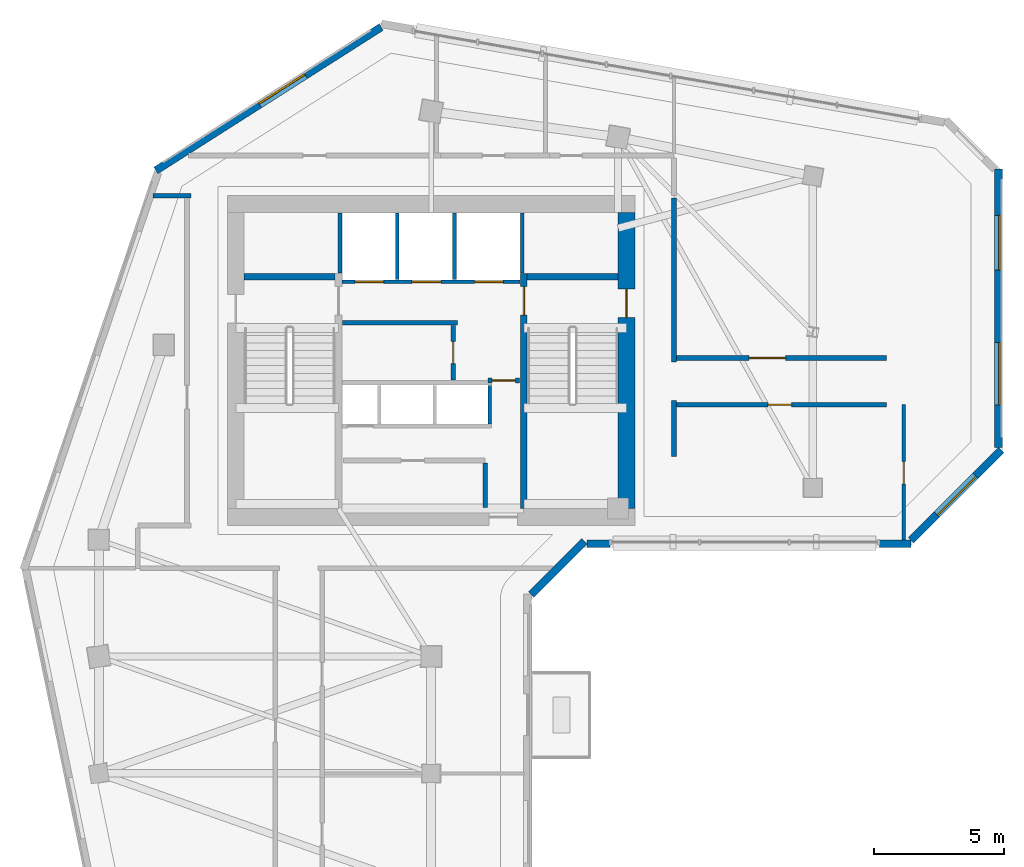
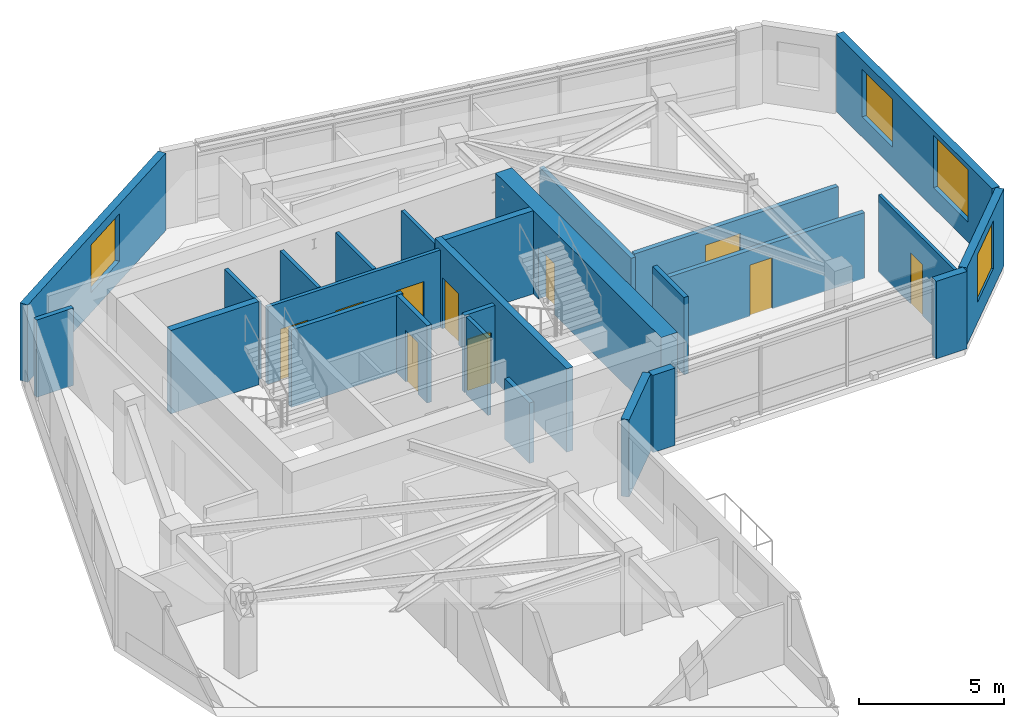
# One storey, part 5 of 9: 26 walls, 10 doors, 4 windows, 14 openings.
"""IFC4 building model written with IfcOpenShell, lengths in metres."""

import ifcopenshell
import ifcopenshell.guid

model = None  # the IFC model being written
_history = None  # IfcOwnerHistory: only IFC2X3 demands one
_inside = {}  # id of a spatial element -> (the spatial element, [elements in it])
_under = {}  # id of a project, library or spatial element -> (it, [spatial elements below it])
_declared = {}  # id of a project -> (the project, [libraries it declares])
_typed = {}  # id of a type object -> (the type object, [elements of that type])
_made_of = {}  # id of a material, layer set ... -> (it, [elements and type objects made of it])


def new_model(schema):
    """Start an empty IFC model of exactly this schema.

    Asked for "IFC4X3", IfcOpenShell would pick the latest addendum, in which some entities
    have other attributes; the version numbers below select the first issue.
    IFC2X3 requires an IfcOwnerHistory on every rooted entity: one is made here for all.
    """
    global model, _history
    if schema == "IFC4X3":
        model = ifcopenshell.file(schema_version=(4, 3, 0, 0))
    else:
        model = ifcopenshell.file(schema=schema)
    _inside.clear()
    _under.clear()
    _declared.clear()
    _typed.clear()
    _made_of.clear()
    _history = None
    if model.schema == "IFC2X3":
        org = make("IfcOrganization", Name="unknown")
        user = make(
            "IfcPersonAndOrganization",
            ThePerson=make("IfcPerson", FamilyName="unknown"),
            TheOrganization=org,
        )
        app = make(
            "IfcApplication",
            ApplicationDeveloper=org,
            Version="unknown",
            ApplicationFullName="unknown",
            ApplicationIdentifier="unknown",
        )
        _history = make(
            "IfcOwnerHistory",
            OwningUser=user,
            OwningApplication=app,
            ChangeAction="ADDED",
            CreationDate=0,
        )
    return model


def make(cls, **values):
    """One entity of the class cls with the attributes given. An attribute that is None is left unset."""
    return model.create_entity(
        cls, **{name: value for name, value in values.items() if value is not None}
    )


def rooted(cls, **values):
    """An entity with a GlobalId (a new one), such as an element, a storey or a relation."""
    return make(cls, GlobalId=ifcopenshell.guid.new(), OwnerHistory=_history, **values)


def si_unit(unit_type, name, prefix=None):
    """IfcSIUnit, for example si_unit("LENGTHUNIT", "METRE", prefix="MILLI")."""
    return make("IfcSIUnit", UnitType=unit_type, Prefix=prefix, Name=name)


def assignment(units):
    """IfcUnitAssignment: the units of a project."""
    return None if units is None else make("IfcUnitAssignment", Units=units)


def point(xyz):
    """IfcCartesianPoint."""
    return None if xyz is None else make("IfcCartesianPoint", Coordinates=xyz)


def direction(xyz):
    """IfcDirection."""
    return None if xyz is None else make("IfcDirection", DirectionRatios=xyz)


def frame(location, z_axis=None, x_axis=None):
    """IfcAxis2Placement3D, a coordinate frame: its origin and axes. An axis left out is left unset."""
    return make(
        "IfcAxis2Placement3D",
        Location=point(location),
        Axis=direction(z_axis),
        RefDirection=direction(x_axis),
    )


def frame_2d(location, x_axis=None):
    """IfcAxis2Placement2D, a coordinate frame in the plane: its origin and x axis."""
    return make(
        "IfcAxis2Placement2D", Location=point(location), RefDirection=direction(x_axis)
    )


def origin():
    """The frame at (0, 0, 0) with its axes left unset."""
    return frame((0.0, 0.0, 0.0))


def place(relative_to, where):
    """IfcLocalPlacement: puts the frame where relative to a parent placement (None: the world)."""
    return make(
        "IfcLocalPlacement", PlacementRelTo=relative_to, RelativePlacement=where
    )


def context(
    kind, dimensions, precision=None, world=None, true_north=None, identifier=None
):
    """IfcGeometricRepresentationContext, for example the 3D "Model" context."""
    return make(
        "IfcGeometricRepresentationContext",
        ContextIdentifier=identifier,
        ContextType=kind,
        CoordinateSpaceDimension=dimensions,
        Precision=precision,
        WorldCoordinateSystem=world,
        TrueNorth=true_north,
    )


def subcontext(parent, identifier, kind, view, scale=None):
    """IfcGeometricRepresentationSubContext, for example "Body" below "Model"."""
    return make(
        "IfcGeometricRepresentationSubContext",
        ContextIdentifier=identifier,
        ContextType=kind,
        ParentContext=parent,
        TargetScale=scale,
        TargetView=view,
    )


def project(units=None, contexts=None):
    """IfcProject with its units and contexts."""
    return rooted(
        "IfcProject",
        Name="project",
        RepresentationContexts=contexts,
        UnitsInContext=assignment(units),
    )


def spatial(cls, under=None, at=None, **own):
    """A site, building, storey or space (cls), placed at a placement, below another one or the project."""
    s = rooted(cls, ObjectPlacement=at, **own)
    if under is not None:
        _under.setdefault(under.id(), (under, []))[1].append(s)
    return s


def profile(cls, at=None, kind="AREA", **sizes):
    """A parametric profile (cls). Its sizes go by their IFC names, for example OverallWidth=200.0."""
    return make(cls, ProfileType=kind, Position=at, **sizes)


def rectangle(**sizes):
    """IfcRectangleProfileDef."""
    return profile("IfcRectangleProfileDef", **sizes)


def extrude(swept, where, along, depth):
    """IfcExtrudedAreaSolid: the profile swept, set in the frame where, extruded along a direction by depth."""
    return make(
        "IfcExtrudedAreaSolid",
        SweptArea=swept,
        Position=where,
        ExtrudedDirection=direction(along),
        Depth=depth,
    )


def shape(context_of_items, identifier, shape_type, items):
    """IfcShapeRepresentation: the items that make up one representation, for example the "Body"."""
    return make(
        "IfcShapeRepresentation",
        ContextOfItems=context_of_items,
        RepresentationIdentifier=identifier,
        RepresentationType=shape_type,
        Items=items,
    )


def source(mapping_origin, context_of_items, identifier, shape_type, items):
    """IfcRepresentationMap: a shape defined once, which mapped items show again and again."""
    return make(
        "IfcRepresentationMap",
        MappingOrigin=mapping_origin,
        MappedRepresentation=shape(context_of_items, identifier, shape_type, items),
    )


def transform(
    local_origin,
    x_axis=None,
    y_axis=None,
    z_axis=None,
    scale=None,
    scale2=None,
    scale3=None,
    uniform=True,
):
    """IfcCartesianTransformationOperator3D, or its non-uniform kind. x_axis, y_axis, z_axis: its Axis1, 2, 3."""
    if uniform:
        return make(
            "IfcCartesianTransformationOperator3D",
            Axis1=direction(x_axis),
            Axis2=direction(y_axis),
            LocalOrigin=point(local_origin),
            Scale=scale,
            Axis3=direction(z_axis),
        )
    return make(
        "IfcCartesianTransformationOperator3DnonUniform",
        Axis1=direction(x_axis),
        Axis2=direction(y_axis),
        LocalOrigin=point(local_origin),
        Scale=scale,
        Axis3=direction(z_axis),
        Scale2=scale2,
        Scale3=scale3,
    )


def mapped(mapping_source, mapping_target):
    """IfcMappedItem: shows the shape of a source again, moved by a transform."""
    return make(
        "IfcMappedItem", MappingSource=mapping_source, MappingTarget=mapping_target
    )


def material(Name=None, Category=None):
    """IfcMaterial."""
    return make("IfcMaterial", Name=Name, Category=Category)


def layer(
    of_material, thickness, ventilated=None, Name=None, Category=None, Priority=None
):
    """IfcMaterialLayer: one layer of a wall or slab, of a material (None: an air gap)."""
    return make(
        "IfcMaterialLayer",
        Material=of_material,
        LayerThickness=thickness,
        IsVentilated=ventilated,
        Name=Name,
        Category=Category,
        Priority=Priority,
    )


def layer_set(layers, Name=None):
    """IfcMaterialLayerSet."""
    return make("IfcMaterialLayerSet", MaterialLayers=layers, LayerSetName=Name)


def made_of(thing, what):
    """Note that an element or type object is made of a material, layer set ...; save() writes the relation."""
    if what is not None:
        _made_of.setdefault(what.id(), (what, []))[1].append(thing)
    return thing


def type_object(cls, material=None, **own):
    """A type object (cls), such as IfcWallType, which elements share."""
    return made_of(rooted(cls, **own), material)


def element(
    cls,
    number,
    at=None,
    inside=None,
    cuts=None,
    type_object=None,
    material=None,
    context=None,
    identifier="Body",
    shape_type=None,
    held_by="IfcProductDefinitionShape",
    body=None,
    shapes=None,
    **own,
):
    """One element of the class cls, such as IfcWall. Its Tag is "e" and its number.

    at: its placement. inside: the storey or other place that contains it. cuts: it is an
    opening in that element (IfcRelVoidsElement). A single representation is given by context,
    identifier, shape_type and body (its items); several are given by shapes. held_by: the class
    of the entity that holds the representations. save() writes the other relations.
    """
    e = rooted(cls, Tag="e%d" % number, ObjectPlacement=at, **own)
    if body is not None:
        shapes = [shape(context, identifier, shape_type, body)]
    if shapes is not None:
        e.Representation = make(held_by, Representations=shapes)
    if inside is not None:
        _inside.setdefault(inside.id(), (inside, []))[1].append(e)
    if cuts is not None:
        rooted(
            "IfcRelVoidsElement", RelatingBuildingElement=cuts, RelatedOpeningElement=e
        )
    if type_object is not None:
        _typed.setdefault(type_object.id(), (type_object, []))[1].append(e)
    return made_of(e, material)


def fill(opening, filler):
    """IfcRelFillsElement: the door or window that sits in an opening."""
    return rooted(
        "IfcRelFillsElement",
        RelatingOpeningElement=opening,
        RelatedBuildingElement=filler,
    )


def aggregate(whole, parts):
    """IfcRelAggregates: a whole, such as a stair, and the parts it consists of."""
    return rooted("IfcRelAggregates", RelatingObject=whole, RelatedObjects=parts)


def save(model, path):
    """Write the relations noted so far, then the file.

    IfcRelAggregates (storeys below a building ...), IfcRelContainedInSpatialStructure (elements
    in a storey), IfcRelDefinesByType, IfcRelAssociatesMaterial and IfcRelDeclares: one each for
    every whole, place, type object, material and project.
    """
    for whole, parts in _under.values():
        aggregate(whole, parts)
    for where, things in _inside.values():
        rooted(
            "IfcRelContainedInSpatialStructure",
            RelatedElements=things,
            RelatingStructure=where,
        )
    for kind, things in _typed.values():
        rooted("IfcRelDefinesByType", RelatedObjects=things, RelatingType=kind)
    for what, things in _made_of.values():
        rooted("IfcRelAssociatesMaterial", RelatedObjects=things, RelatingMaterial=what)
    for by, libraries in _declared.values():
        rooted("IfcRelDeclares", RelatingContext=by, RelatedDefinitions=libraries)
    model.write(path)


model = new_model("IFC4")

# Units and contexts
model_context = context("Model", 3, precision=1e-05, world=origin(), true_north=direction((0.0, 1.0)))
body_context = subcontext(model_context, "Body", "Model", "MODEL_VIEW")
ifc_project = project(units=[si_unit("LENGTHUNIT", "METRE"), si_unit("AREAUNIT", "SQUARE_METRE"), si_unit("VOLUMEUNIT", "CUBIC_METRE"), si_unit("PLANEANGLEUNIT", "RADIAN"), si_unit("MASSUNIT", "GRAM", prefix="KILO")], contexts=[model_context])

# Site, building, storey
site_placement = place(None, origin())
site = spatial("IfcSite", under=ifc_project, at=site_placement, CompositionType="ELEMENT")
building_placement = place(site_placement, origin())
building = spatial("IfcBuilding", under=site, at=building_placement, Name="Calvemar Wedge Station Tower", CompositionType="ELEMENT")
storey_placement = place(building_placement, frame((0.0, 0.0, 235.89990234375)))
storey = spatial("IfcBuildingStorey", under=building, at=storey_placement, Name="L60", CompositionType="ELEMENT", Elevation=235.89990234375)

# Wall, opening, door
ifc_material_1 = material(Name="Concrete C50", Category="concrete")
ifc_layer_1 = layer(ifc_material_1, 0.260009765625)
ifc_layer_set_1 = layer_set([ifc_layer_1], Name="Concrete C50")
wall_type_1 = type_object("IfcWallType", Name="SW-CORE-260", PredefinedType="SHEAR", material=ifc_layer_set_1)
wall_1_placement = place(storey_placement, frame((27.3701171875, 34.199951171875, 0.0), z_axis=(0.0, 0.0, 1.0), x_axis=(0.0, 1.0, 0.0)))
wall_1 = element("IfcWall", 1, at=wall_1_placement, inside=storey, type_object=wall_type_1, Name="Storey L60 Core Shear Wall SPINE-E", PredefinedType="SHEAR", context=body_context, shape_type="SweptSolid", body=[
    extrude(rectangle(XDim=9.06005859375, YDim=0.260009765625, at=frame_2d((4.530029296875, 0.0))), origin(), (0.0, 0.0, 1.0), 3.5),
])
shared_shape_1 = source(origin(), body_context, "Body", "SweptSolid", [
    extrude(rectangle(XDim=1.10009765625, YDim=2.14990234375, at=frame_2d((0.550048828125, 1.074951171875))), frame((0.0, 0.14013671875, 0.0), z_axis=(0.0, -1.0, 0.0), x_axis=(1.0, 0.0, 0.0)), (0.0, 0.0, 1.0), 0.280029296875),
])
opening_1_placement = place(wall_1_placement, frame((7.449951171875, 0.0, 0.0)))
opening_1 = element("IfcOpeningElement", 2, at=opening_1_placement, cuts=wall_1, Name="Opening FD-90", PredefinedType="OPENING", context=body_context, shape_type="MappedRepresentation", body=[
    mapped(shared_shape_1, transform((0.0, 0.0, 0.0), scale=1.0)),
])
ifc_material_2 = material(Name="Galvanized fire-rated steel door leaf P-90", Category="steel")
door_type_1 = type_object("IfcDoorType", Name="DR-FD90-1100", OperationType="NOTDEFINED", PredefinedType="DOOR", material=ifc_material_2)
shared_shape_2 = source(origin(), body_context, "Body", "SweptSolid", [
    extrude(rectangle(XDim=1.10009765625, YDim=2.14990234375, at=frame_2d((0.550048828125, 1.074951171875))), frame((0.0, 0.02490234375, 0.0), z_axis=(0.0, -1.0, 0.0), x_axis=(1.0, 0.0, 0.0)), (0.0, 0.0, 1.0), 0.050048828125),
])
door_1_placement = place(opening_1_placement, origin())
door_1 = element("IfcDoor", 3, at=door_1_placement, inside=storey, type_object=door_type_1, Name="L60 FF Lobby to Stair ST-C2 Door", OperationType="SINGLE_SWING_RIGHT", OverallHeight=2.14990234375, OverallWidth=1.10009765625, PredefinedType="DOOR", context=body_context, shape_type="MappedRepresentation", body=[
    mapped(shared_shape_2, transform((0.0, 0.0, 0.0), scale=1.0)),
])
fill(opening_1, door_1)

# Walls
for number, where, z_axis, x_axis, name in (
    (4, (16.60009765625, 43.1298828125, 0.0), (0.0, 0.0, 1.0), (1.0, 0.0, 0.0), "Storey L60 Core Shear Wall STC1-N"),
    (5, (27.5, 43.1298828125, 0.0), (0.0, 0.0, 1.0), (1.0, 0.0, 0.0), "Storey L60 Core Shear Wall STC2-N"),
):
    element("IfcWall", number, at=place(storey_placement, frame(where, z_axis=z_axis, x_axis=x_axis)), inside=storey, type_object=wall_type_1, Name=name, PredefinedType="SHEAR", context=body_context, shape_type="SweptSolid", body=[
        extrude(rectangle(XDim=3.5, YDim=0.260009765625, at=frame_2d((1.75, 0.0))), origin(), (0.0, 0.0, 1.0), 3.5),
    ])

# Wall, opening, door
ifc_material_3 = material(Name="Concrete C60", Category="concrete")
ifc_layer_2 = layer(ifc_material_3, 0.64990234375)
ifc_layer_set_2 = layer_set([ifc_layer_2], Name="Concrete C60")
wall_type_2 = type_object("IfcWallType", Name="SW-CORE-650", PredefinedType="SHEAR", material=ifc_layer_set_2)
wall_2_placement = place(storey_placement, frame((31.324951171875, 34.199951171875, 0.0), z_axis=(0.0, 0.0, 1.0), x_axis=(0.0, 1.0, 0.0)))
wall_2 = element("IfcWall", 6, at=wall_2_placement, inside=storey, type_object=wall_type_2, Name="Storey L60 Core Shear Wall E", PredefinedType="SHEAR", context=body_context, shape_type="SweptSolid", body=[
    extrude(rectangle(XDim=11.400146484375, YDim=0.64990234375, at=frame_2d((5.7001953125, 0.0))), origin(), (0.0, 0.0, 1.0), 3.5),
])
shared_shape_3 = source(origin(), body_context, "Body", "SweptSolid", [
    extrude(rectangle(XDim=1.10009765625, YDim=2.14990234375, at=frame_2d((0.550048828125, 1.074951171875))), frame((0.0, 0.3349609375, 0.0), z_axis=(0.0, -1.0, 0.0), x_axis=(1.0, 0.0, 0.0)), (0.0, 0.0, 1.0), 0.669921875),
])
opening_2_placement = place(wall_2_placement, frame((7.35009765625, 0.0, 0.0)))
opening_2 = element("IfcOpeningElement", 7, at=opening_2_placement, cuts=wall_2, Name="Opening FD-90", PredefinedType="OPENING", context=body_context, shape_type="MappedRepresentation", body=[
    mapped(shared_shape_3, transform((0.0, 0.0, 0.0), scale=1.0)),
])
door_2_placement = place(opening_2_placement, origin())
door_2 = element("IfcDoor", 8, at=door_2_placement, inside=storey, type_object=door_type_1, Name="L60 East Corridor to Exit Stair ST-C2 Door", OperationType="SINGLE_SWING_RIGHT", OverallHeight=2.14990234375, OverallWidth=1.10009765625, PredefinedType="DOOR", context=body_context, shape_type="MappedRepresentation", body=[
    mapped(shared_shape_2, transform((0.0, 0.0, 0.0), scale=1.0)),
])
fill(opening_2, door_2)

# Wall
ifc_material_4 = material(Name="Double-stud fire-rated corridor partition")
ifc_layer_3 = layer(ifc_material_4, 0.179931640625)
ifc_layer_set_3 = layer_set([ifc_layer_3], Name="Double-stud fire-rated corridor partition")
wall_type_3 = type_object("IfcWallType", Name="W-CORR-180", PredefinedType="PARTITIONING", material=ifc_layer_set_3)
wall_3_placement = place(storey_placement, frame((24.81005859375, 41.35009765625, 0.0), z_axis=(0.0, 0.0, 1.0), x_axis=(-1.0, 0.0, 0.0)))
element("IfcWall", 9, at=wall_3_placement, inside=storey, type_object=wall_type_3, Name="Storey L60 Interior Partition WL-L60-001", PredefinedType="PARTITIONING", context=body_context, shape_type="SweptSolid", body=[
    extrude(rectangle(XDim=4.43017578125, YDim=0.179931640625, at=frame_2d((2.215087890625, 0.0))), origin(), (0.0, 0.0, 1.0), 3.25),
])

# Wall, opening, door
wall_4_placement = place(storey_placement, frame((24.64990234375, 41.256103515625, 0.0), z_axis=(0.0, 0.0, 1.0), x_axis=(0.0, -1.0, 0.0)))
wall_4 = element("IfcWall", 10, at=wall_4_placement, inside=storey, type_object=wall_type_3, Name="Storey L60 Interior Partition WL-L60-002", PredefinedType="PARTITIONING", context=body_context, shape_type="SweptSolid", body=[
    extrude(rectangle(XDim=2.106201171875, YDim=0.179931640625, at=frame_2d((1.05322265625, 0.0))), origin(), (0.0, 0.0, 1.0), 3.25),
])
shared_shape_4 = source(origin(), body_context, "Body", "SweptSolid", [
    extrude(rectangle(XDim=0.85009765625, YDim=2.14990234375, at=frame_2d((0.425048828125, 1.074951171875))), frame((0.0, 0.10009765625, 0.0), z_axis=(0.0, -1.0, 0.0), x_axis=(1.0, 0.0, 0.0)), (0.0, 0.0, 1.0), 0.199951171875),
])
opening_3_placement = place(wall_4_placement, frame((0.6279296875, 0.0, 0.0)))
opening_3 = element("IfcOpeningElement", 11, at=opening_3_placement, cuts=wall_4, Name="Opening FD-60S", PredefinedType="OPENING", context=body_context, shape_type="MappedRepresentation", body=[
    mapped(shared_shape_4, transform((0.0, 0.0, 0.0), scale=1.0)),
])
ifc_material_5 = material(Name="Fire-rated steel and hardwood service door EI 60", Category="steel")
door_type_2 = type_object("IfcDoorType", Name="DR-CORE-FD60-850", OperationType="NOTDEFINED", PredefinedType="DOOR", material=ifc_material_5)
shared_shape_5 = source(origin(), body_context, "Body", "SweptSolid", [
    extrude(rectangle(XDim=0.85009765625, YDim=2.14990234375, at=frame_2d((0.425048828125, 1.074951171875))), frame((0.0, 0.02490234375, 0.0), z_axis=(0.0, -1.0, 0.0), x_axis=(1.0, 0.0, 0.0)), (0.0, 0.0, 1.0), 0.050048828125),
])
door_3_placement = place(opening_3_placement, origin())
door_3 = element("IfcDoor", 12, at=door_3_placement, inside=storey, type_object=door_type_2, Name="L60 Cleaner and Linen Store Door", OperationType="SINGLE_SWING_RIGHT", OverallHeight=2.14990234375, OverallWidth=0.85009765625, PredefinedType="DOOR", context=body_context, shape_type="MappedRepresentation", body=[
    mapped(shared_shape_5, transform((0.0, 0.0, 0.0), scale=1.0)),
])
fill(opening_3, door_3)

wall_5_placement = place(storey_placement, frame((27.199951171875, 39.1298828125, 0.0), z_axis=(0.0, 0.0, 1.0), x_axis=(-1.0, 0.0, 0.0)))
wall_5 = element("IfcWall", 13, at=wall_5_placement, inside=storey, type_object=wall_type_3, Name="Storey L60 Interior Partition WL-L60-003", PredefinedType="PARTITIONING", context=body_context, shape_type="SweptSolid", body=[
    extrude(rectangle(XDim=1.2099609375, YDim=0.179931640625, at=frame_2d((0.60498046875, 0.0))), origin(), (0.0, 0.0, 1.0), 3.25),
])
shared_shape_6 = source(origin(), body_context, "Body", "SweptSolid", [
    extrude(rectangle(XDim=0.89990234375, YDim=2.14990234375, at=frame_2d((0.449951171875, 1.074951171875))), frame((0.0, 0.10009765625, 0.0), z_axis=(0.0, -1.0, 0.0), x_axis=(1.0, 0.0, 0.0)), (0.0, 0.0, 1.0), 0.199951171875),
])
opening_4_placement = place(wall_5_placement, frame((0.155029296875, 0.0, 0.0)))
opening_4 = element("IfcOpeningElement", 14, at=opening_4_placement, cuts=wall_5, Name="Opening FD-60", PredefinedType="OPENING", context=body_context, shape_type="MappedRepresentation", body=[
    mapped(shared_shape_6, transform((0.0, 0.0, 0.0), scale=1.0)),
])
ifc_material_6 = material(Name="Fire-rated acoustic timber-core entrance door EI 60", Category="wood")
door_type_3 = type_object("IfcDoorType", Name="DR-FD60-900", OperationType="NOTDEFINED", PredefinedType="DOOR", material=ifc_material_6)
shared_shape_7 = source(origin(), body_context, "Body", "SweptSolid", [
    extrude(rectangle(XDim=0.89990234375, YDim=2.14990234375, at=frame_2d((0.449951171875, 1.074951171875))), frame((0.0, 0.02490234375, 0.0), z_axis=(0.0, -1.0, 0.0), x_axis=(1.0, 0.0, 0.0)), (0.0, 0.0, 1.0), 0.050048828125),
])
door_4_placement = place(opening_4_placement, origin())
door_4 = element("IfcDoor", 15, at=door_4_placement, inside=storey, type_object=door_type_3, Name="L60 Core Service Lobby Door", OperationType="SINGLE_SWING_LEFT", OverallHeight=2.14990234375, OverallWidth=0.89990234375, PredefinedType="DOOR", context=body_context, shape_type="MappedRepresentation", body=[
    mapped(shared_shape_7, transform((0.0, 0.0, 0.0), scale=1.0)),
])
fill(opening_4, door_4)

# Walls
wall_6_placement = place(storey_placement, frame((25.8798828125, 35.9560546875, 0.0), z_axis=(0.0, 0.0, 1.0), x_axis=(0.0, -1.0, 0.0)))
element("IfcWall", 16, at=wall_6_placement, inside=storey, type_object=wall_type_3, Name="Storey L60 Interior Partition WL-L60-005", PredefinedType="PARTITIONING", context=body_context, shape_type="SweptSolid", body=[
    extrude(rectangle(XDim=1.7060546875, YDim=0.179931640625, at=frame_2d((0.85302734375, 0.0))), origin(), (0.0, 0.0, 1.0), 2.5419921875),
])
wall_7_placement = place(storey_placement, frame((14.56005859375, 46.25, 0.0), z_axis=(0.0, 0.0, 1.0), x_axis=(-1.0, 0.0, 0.0)))
element("IfcWall", 17, at=wall_7_placement, inside=storey, type_object=wall_type_3, Name="Storey L60 Interior Partition WL-L60-011", PredefinedType="PARTITIONING", context=body_context, shape_type="SweptSolid", body=[
    extrude(rectangle(XDim=1.46875, YDim=0.179931640625, at=frame_2d((0.734375, 0.0))), origin(), (0.0, 0.0, 1.0), 3.25),
])
wall_8_placement = place(storey_placement, frame((33.14990234375, 46.156005859375, 0.0), z_axis=(0.0, 0.0, 1.0), x_axis=(0.0, -1.0, 0.0)))
element("IfcWall", 18, at=wall_8_placement, inside=storey, type_object=wall_type_3, Name="Storey L60 Interior Partition WL-L60-016", PredefinedType="PARTITIONING", context=body_context, shape_type="SweptSolid", body=[
    extrude(rectangle(XDim=6.31591796875, YDim=0.179931640625, at=frame_2d((3.157958984375, 0.0))), origin(), (0.0, 0.0, 1.0), 2.68798828125),
])
wall_9_placement = place(storey_placement, frame((33.14990234375, 38.360107421875, 0.0), z_axis=(0.0, 0.0, 1.0), x_axis=(0.0, -1.0, 0.0)))
element("IfcWall", 19, at=wall_9_placement, inside=storey, type_object=wall_type_3, Name="Storey L60 Interior Partition WL-L60-017", PredefinedType="PARTITIONING", context=body_context, shape_type="SweptSolid", body=[
    extrude(rectangle(XDim=2.16015625, YDim=0.179931640625, at=frame_2d((1.080078125, 0.0))), origin(), (0.0, 0.0, 1.0), 3.25),
])

# Wall, opening, door
wall_10_placement = place(storey_placement, frame((33.243896484375, 40.0, 0.0), z_axis=(0.0, 0.0, 1.0), x_axis=(1.0, 0.0, 0.0)))
wall_10 = element("IfcWall", 20, at=wall_10_placement, inside=storey, type_object=wall_type_3, Name="Storey L60 Interior Partition WL-L60-022", PredefinedType="PARTITIONING", context=body_context, shape_type="SweptSolid", body=[
    extrude(rectangle(XDim=8.091064453125, YDim=0.179931640625, at=frame_2d((4.04541015625, 0.0))), origin(), (0.0, 0.0, 1.0), 2.76611328125),
])
shared_shape_8 = source(origin(), body_context, "Body", "SweptSolid", [
    extrude(rectangle(XDim=1.39990234375, YDim=2.14990234375, at=frame_2d((0.699951171875, 1.074951171875))), frame((0.0, 0.10009765625, 0.0), z_axis=(0.0, -1.0, 0.0), x_axis=(1.0, 0.0, 0.0)), (0.0, 0.0, 1.0), 0.199951171875),
])
opening_5_placement = place(wall_10_placement, frame((2.804443359375, 0.0, 0.0)))
opening_5 = element("IfcOpeningElement", 21, at=opening_5_placement, cuts=wall_10, Name="Opening DD-140", PredefinedType="OPENING", context=body_context, shape_type="MappedRepresentation", body=[
    mapped(shared_shape_8, transform((0.0, 0.0, 0.0), scale=1.0)),
])
ifc_material_7 = material(Name="Double-leaf corridor acoustic fire door EI 60")
door_type_4 = type_object("IfcDoorType", Name="DR-DBL-1400", OperationType="DOUBLE_DOOR_SINGLE_SWING", PredefinedType="DOOR", material=ifc_material_7)
shared_shape_9 = source(origin(), body_context, "Body", "SweptSolid", [
    extrude(rectangle(XDim=1.39990234375, YDim=2.14990234375, at=frame_2d((0.699951171875, 1.074951171875))), frame((0.0, 0.02490234375, 0.0), z_axis=(0.0, -1.0, 0.0), x_axis=(1.0, 0.0, 0.0)), (0.0, 0.0, 1.0), 0.050048828125),
])
door_5_placement = place(opening_5_placement, origin())
door_5 = element("IfcDoor", 22, at=door_5_placement, inside=storey, type_object=door_type_4, Name="L60 Co-Working Studio Door", OperationType="SINGLE_SWING_LEFT", OverallHeight=2.14990234375, OverallWidth=1.39990234375, PredefinedType="DOOR", context=body_context, shape_type="MappedRepresentation", body=[
    mapped(shared_shape_9, transform((0.0, 0.0, 0.0), scale=1.0)),
])
fill(opening_5, door_5)

wall_11_placement = place(storey_placement, frame((41.3349609375, 38.199951171875, 0.0), z_axis=(0.0, 0.0, 1.0), x_axis=(-1.0, 0.0, 0.0)))
wall_11 = element("IfcWall", 23, at=wall_11_placement, inside=storey, type_object=wall_type_3, Name="Storey L60 Interior Partition WL-L60-023", PredefinedType="PARTITIONING", context=body_context, shape_type="SweptSolid", body=[
    extrude(rectangle(XDim=8.091064453125, YDim=0.179931640625, at=frame_2d((4.04541015625, 0.0))), origin(), (0.0, 0.0, 1.0), 2.76611328125),
])
opening_6_placement = place(wall_11_placement, frame((3.65576171875, 0.0, 0.0)))
opening_6 = element("IfcOpeningElement", 24, at=opening_6_placement, cuts=wall_11, Name="Opening D-01", PredefinedType="OPENING", context=body_context, shape_type="MappedRepresentation", body=[
    mapped(shared_shape_6, transform((0.0, 0.0, 0.0), scale=1.0)),
])
ifc_material_8 = material(Name="Architectural hardwood acoustic swing door", Category="wood")
door_type_5 = type_object("IfcDoorType", Name="DR-INT-900", OperationType="NOTDEFINED", PredefinedType="DOOR", material=ifc_material_8)
shared_shape_10 = source(origin(), body_context, "Body", "SweptSolid", [
    extrude(rectangle(XDim=0.89990234375, YDim=2.14990234375, at=frame_2d((0.449951171875, 1.074951171875))), frame((0.0, 0.02490234375, 0.0), z_axis=(0.0, -1.0, 0.0), x_axis=(1.0, 0.0, 0.0)), (0.0, 0.0, 1.0), 0.050048828125),
])
door_6_placement = place(opening_6_placement, origin())
door_6 = element("IfcDoor", 25, at=door_6_placement, inside=storey, type_object=door_type_5, Name="L60 Meeting Room Door", OperationType="SINGLE_SWING_RIGHT", OverallHeight=2.14990234375, OverallWidth=0.89990234375, PredefinedType="DOOR", context=body_context, shape_type="MappedRepresentation", body=[
    mapped(shared_shape_10, transform((0.0, 0.0, 0.0), scale=1.0)),
])
fill(opening_6, door_6)

# Walls
ifc_material_9 = material(Name="Precast concrete C45", Category="concrete")
ifc_layer_4 = layer(ifc_material_9, 0.300048828125)
ifc_layer_set_4 = layer_set([ifc_layer_4], Name="Precast concrete C45")
wall_type_4 = type_object("IfcWallType", Name="W-EXT-GFRC-300", PredefinedType="SOLIDWALL", material=ifc_layer_set_4)
wall_12_placement = place(storey_placement, frame((27.652099609375, 30.89208984375, 0.0), z_axis=(0.0, 0.0, 1.0), x_axis=(0.707106781187, 0.707106781187, 0.0)))
element("IfcWall", 26, at=wall_12_placement, inside=storey, type_object=wall_type_4, Name="Storey L60 Bronze GFRC Exterior Wall 5", PredefinedType="SOLIDWALL", context=body_context, shape_type="SweptSolid", body=[
    extrude(rectangle(XDim=2.907470703125, YDim=0.300048828125, at=frame_2d((1.45361328125, 0.0))), origin(), (0.0, 0.0, 1.0), 3.25),
])
wall_13_placement = place(storey_placement, frame((29.797119140625, 32.842041015625, 0.0), z_axis=(0.0, 0.0, 1.0), x_axis=(1.0, 0.0, 0.0)))
element("IfcWall", 27, at=wall_13_placement, inside=storey, type_object=wall_type_4, Name="Storey L60 Bronze GFRC Corner Pier 6A", PredefinedType="SOLIDWALL", context=body_context, shape_type="SweptSolid", body=[
    extrude(rectangle(XDim=0.88232421875, YDim=0.300048828125, at=frame_2d((0.441162109375, 0.0))), origin(), (0.0, 0.0, 1.0), 3.25),
])
wall_14_placement = place(storey_placement, frame((41.060302734375, 32.842041015625, 0.0), z_axis=(0.0, 0.0, 1.0), x_axis=(1.0, 0.0, 0.0)))
element("IfcWall", 28, at=wall_14_placement, inside=storey, type_object=wall_type_4, Name="Storey L60 Bronze GFRC Corner Pier 6B", PredefinedType="SOLIDWALL", context=body_context, shape_type="SweptSolid", body=[
    extrude(rectangle(XDim=1.2275390625, YDim=0.300048828125, at=frame_2d((0.61376953125, 0.0))), origin(), (0.0, 0.0, 1.0), 3.25),
])

# Wall, opening, window
wall_15_placement = place(storey_placement, frame((42.27587890625, 32.97998046875, 0.0), z_axis=(0.0, 0.0, 1.0), x_axis=(0.707106781187, 0.707106781187, 0.0)))
wall_15 = element("IfcWall", 29, at=wall_15_placement, inside=storey, type_object=wall_type_4, Name="Storey L60 Bronze GFRC Exterior Wall 7", PredefinedType="SOLIDWALL", context=body_context, shape_type="SweptSolid", body=[
    extrude(rectangle(XDim=4.921875, YDim=0.300048828125, at=frame_2d((2.4609375, 0.0))), origin(), (0.0, 0.0, 1.0), 3.25),
])
shared_shape_11 = source(origin(), body_context, "Body", "SweptSolid", [
    extrude(rectangle(XDim=2.10009765625, YDim=2.0, at=frame_2d((1.050048828125, 1.0))), frame((0.0, 0.16015625, 0.0), z_axis=(0.0, -1.0, 0.0), x_axis=(1.0, 0.0, 0.0)), (0.0, 0.0, 1.0), 0.320068359375),
])
opening_7_placement = place(wall_15_placement, frame((1.410888671875, 0.0, 0.85009765625)))
opening_7 = element("IfcOpeningElement", 30, at=opening_7_placement, cuts=wall_15, Name="Opening W4", PredefinedType="OPENING", context=body_context, shape_type="MappedRepresentation", body=[
    mapped(shared_shape_11, transform((0.0, 0.0, 0.0), scale=1.0)),
])
ifc_material_10 = material(Name="Low-E laminated insulated glass", Category="glass")
window_type_1 = type_object("IfcWindowType", Name="WIN-EXT-4", PartitioningType="SINGLE_PANEL", PredefinedType="WINDOW", material=ifc_material_10)
shared_shape_12 = source(origin(), body_context, "Body", "SweptSolid", [
    extrude(rectangle(XDim=2.10009765625, YDim=2.0, at=frame_2d((1.050048828125, 1.0))), frame((0.0, -0.014892578125, 0.0), z_axis=(0.0, -1.0, 0.0), x_axis=(1.0, 0.0, 0.0)), (0.0, 0.0, 1.0), 0.06005859375),
])
window_1_placement = place(opening_7_placement, origin())
window_1 = element("IfcWindow", 31, at=window_1_placement, inside=storey, type_object=window_type_1, Name="Storey L60 Recessed Window 7.1", OverallHeight=2.0, OverallWidth=2.10009765625, PartitioningType="SINGLE_PANEL", PredefinedType="WINDOW", context=body_context, shape_type="MappedRepresentation", body=[
    mapped(shared_shape_12, transform((0.0, 0.0, 0.0), scale=1.0)),
])
fill(opening_7, window_1)

# Wall, openings, windows
wall_16_placement = place(storey_placement, frame((45.64990234375, 36.54931640625, 0.0), z_axis=(0.0, 0.0, 1.0), x_axis=(0.0, 1.0, 0.0)))
wall_16 = element("IfcWall", 32, at=wall_16_placement, inside=storey, type_object=wall_type_4, Name="Storey L60 Bronze GFRC Exterior Wall 8", PredefinedType="SOLIDWALL", context=body_context, shape_type="SweptSolid", body=[
    extrude(rectangle(XDim=10.73046875, YDim=0.300048828125, at=frame_2d((5.365234375, 0.0))), origin(), (0.0, 0.0, 1.0), 3.25),
])
shared_shape_13 = source(origin(), body_context, "Body", "SweptSolid", [
    extrude(rectangle(XDim=2.39990234375, YDim=2.199951171875, at=frame_2d((1.199951171875, 1.10009765625))), frame((0.0, 0.16015625, 0.0), z_axis=(0.0, -1.0, 0.0), x_axis=(1.0, 0.0, 0.0)), (0.0, 0.0, 1.0), 0.320068359375),
])
opening_8_placement = place(wall_16_placement, frame((1.64306640625, 0.0, 0.85009765625)))
opening_8 = element("IfcOpeningElement", 33, at=opening_8_placement, cuts=wall_16, Name="Opening W1", PredefinedType="OPENING", context=body_context, shape_type="MappedRepresentation", body=[
    mapped(shared_shape_13, transform((0.0, 0.0, 0.0), scale=1.0)),
])
opening_9_placement = place(wall_16_placement, frame((6.837890625, 0.0, 0.85009765625)))
opening_9 = element("IfcOpeningElement", 34, at=opening_9_placement, cuts=wall_16, Name="Opening W4", PredefinedType="OPENING", context=body_context, shape_type="MappedRepresentation", body=[
    mapped(shared_shape_11, transform((0.0, 0.0, 0.0), scale=1.0)),
])
window_2_placement = place(opening_9_placement, origin())
window_2 = element("IfcWindow", 35, at=window_2_placement, inside=storey, type_object=window_type_1, Name="Storey L60 Recessed Window 8.2", OverallHeight=2.0, OverallWidth=2.10009765625, PartitioningType="SINGLE_PANEL", PredefinedType="WINDOW", context=body_context, shape_type="MappedRepresentation", body=[
    mapped(shared_shape_12, transform((0.0, 0.0, 0.0), scale=1.0)),
])
fill(opening_9, window_2)
window_type_2 = type_object("IfcWindowType", Name="WIN-EXT-1", PartitioningType="SINGLE_PANEL", PredefinedType="WINDOW", material=ifc_material_10)
shared_shape_14 = source(origin(), body_context, "Body", "SweptSolid", [
    extrude(rectangle(XDim=2.39990234375, YDim=2.199951171875, at=frame_2d((1.199951171875, 1.10009765625))), frame((0.0, -0.014892578125, 0.0), z_axis=(0.0, -1.0, 0.0), x_axis=(1.0, 0.0, 0.0)), (0.0, 0.0, 1.0), 0.06005859375),
])
window_3_placement = place(opening_8_placement, origin())
window_3 = element("IfcWindow", 36, at=window_3_placement, inside=storey, type_object=window_type_2, Name="Storey L60 Recessed Window 8.1", OverallHeight=2.199951171875, OverallWidth=2.39990234375, PartitioningType="SINGLE_PANEL", PredefinedType="WINDOW", context=body_context, shape_type="MappedRepresentation", body=[
    mapped(shared_shape_14, transform((0.0, 0.0, 0.0), scale=1.0)),
])
fill(opening_8, window_3)

# Wall, opening, window
wall_17_placement = place(storey_placement, frame((21.873779296875, 52.741943359375, 0.0), z_axis=(0.0, 0.0, 1.0), x_axis=(-0.84365659959, -0.536883173482, 0.0)))
wall_17 = element("IfcWall", 37, at=wall_17_placement, inside=storey, type_object=wall_type_4, Name="Storey L60 Bronze GFRC Exterior Wall 11", PredefinedType="SOLIDWALL", context=body_context, shape_type="SweptSolid", body=[
    extrude(rectangle(XDim=10.282958984375, YDim=0.300048828125, at=frame_2d((5.1416015625, 0.0))), origin(), (0.0, 0.0, 1.0), 3.25),
])
opening_10_placement = place(wall_17_placement, frame((3.45703125, 0.0, 0.85009765625)))
opening_10 = element("IfcOpeningElement", 38, at=opening_10_placement, cuts=wall_17, Name="Opening W4", PredefinedType="OPENING", context=body_context, shape_type="MappedRepresentation", body=[
    mapped(shared_shape_11, transform((0.0, 0.0, 0.0), scale=1.0)),
])
window_4_placement = place(opening_10_placement, origin())
window_4 = element("IfcWindow", 39, at=window_4_placement, inside=storey, type_object=window_type_1, Name="Storey L60 Recessed Window 11.1", OverallHeight=2.0, OverallWidth=2.10009765625, PartitioningType="SINGLE_PANEL", PredefinedType="WINDOW", context=body_context, shape_type="MappedRepresentation", body=[
    mapped(shared_shape_12, transform((0.0, 0.0, 0.0), scale=1.0)),
])
fill(opening_10, window_4)

# Wall, openings, doors
ifc_material_11 = material(Name="Reinforced concrete blockwork lift shaft wall", Category="masonry")
ifc_layer_5 = layer(ifc_material_11, 0.139892578125)
ifc_layer_set_5 = layer_set([ifc_layer_5], Name="Reinforced concrete blockwork lift shaft wall")
wall_type_5 = type_object("IfcWallType", Name="W-LIFT-160", PredefinedType="SOLIDWALL", material=ifc_layer_set_5)
wall_18_placement = place(storey_placement, frame((20.3701171875, 42.929931640625, 0.0), z_axis=(0.0, 0.0, 1.0), x_axis=(1.0, 0.0, 0.0)))
wall_18 = element("IfcWall", 40, at=wall_18_placement, inside=storey, type_object=wall_type_5, Name="Storey L60 Firefighting and Service Lift Shaft Front Wall", PredefinedType="SOLIDWALL", context=body_context, shape_type="SweptSolid", body=[
    extrude(rectangle(XDim=6.85986328125, YDim=0.139892578125, at=frame_2d((3.429931640625, 0.0))), origin(), (0.0, 0.0, 1.0), 3.25),
])
shared_shape_15 = source(origin(), body_context, "Body", "SweptSolid", [
    extrude(rectangle(XDim=1.10009765625, YDim=2.14990234375, at=frame_2d((0.550048828125, 1.074951171875))), frame((0.0, 0.080078125, 0.0), z_axis=(0.0, -1.0, 0.0), x_axis=(1.0, 0.0, 0.0)), (0.0, 0.0, 1.0), 0.159912109375),
])
opening_11_placement = place(wall_18_placement, frame((0.5, 0.0, 0.0)))
opening_11 = element("IfcOpeningElement", 41, at=opening_11_placement, cuts=wall_18, Name="Opening LD-FF", PredefinedType="OPENING", context=body_context, shape_type="MappedRepresentation", body=[
    mapped(shared_shape_15, transform((0.0, 0.0, 0.0), scale=1.0)),
])
opening_12_placement = place(wall_18_placement, frame((2.699951171875, 0.0, 0.0)))
opening_12 = element("IfcOpeningElement", 42, at=opening_12_placement, cuts=wall_18, Name="Opening LD-FF", PredefinedType="OPENING", context=body_context, shape_type="MappedRepresentation", body=[
    mapped(shared_shape_15, transform((0.0, 0.0, 0.0), scale=1.0)),
])
opening_13_placement = place(wall_18_placement, frame((5.10009765625, 0.0, 0.0)))
opening_13 = element("IfcOpeningElement", 43, at=opening_13_placement, cuts=wall_18, Name="Opening LD-STN", PredefinedType="OPENING", context=body_context, shape_type="MappedRepresentation", body=[
    mapped(shared_shape_15, transform((0.0, 0.0, 0.0), scale=1.0)),
])
ifc_material_12 = material(Name="Stainless steel firefighting lift sliding landing door", Category="steel")
door_type_6 = type_object("IfcDoorType", Name="DR-LD-FF-1100", OperationType="SLIDING_TO_LEFT", PredefinedType="DOOR", material=ifc_material_12)
shared_shape_16 = source(origin(), body_context, "Body", "SweptSolid", [
    extrude(rectangle(XDim=1.10009765625, YDim=2.14990234375, at=frame_2d((0.550048828125, 1.074951171875))), frame((0.0, 0.02490234375, 0.0), z_axis=(0.0, -1.0, 0.0), x_axis=(1.0, 0.0, 0.0)), (0.0, 0.0, 1.0), 0.050048828125),
])
door_7_placement = place(opening_11_placement, origin())
door_7 = element("IfcDoor", 44, at=door_7_placement, inside=storey, type_object=door_type_6, Name="L60 Lift FF-01 Sliding Landing Door", OperationType="SLIDING_TO_LEFT", OverallHeight=2.14990234375, OverallWidth=1.10009765625, PredefinedType="DOOR", context=body_context, shape_type="MappedRepresentation", body=[
    mapped(shared_shape_16, transform((0.0, 0.0, 0.0), scale=1.0)),
])
fill(opening_11, door_7)
door_8_placement = place(opening_12_placement, origin())
door_8 = element("IfcDoor", 45, at=door_8_placement, inside=storey, type_object=door_type_6, Name="L60 Lift FF-02 Sliding Landing Door", OperationType="SLIDING_TO_RIGHT", OverallHeight=2.14990234375, OverallWidth=1.10009765625, PredefinedType="DOOR", context=body_context, shape_type="MappedRepresentation", body=[
    mapped(shared_shape_16, transform((0.0, 0.0, 0.0), scale=1.0)),
])
fill(opening_12, door_8)
ifc_material_13 = material(Name="Stainless steel transit lift sliding landing door", Category="steel")
door_type_7 = type_object("IfcDoorType", Name="DR-LD-PAX-1100", OperationType="SLIDING_TO_LEFT", PredefinedType="DOOR", material=ifc_material_13)
shared_shape_17 = source(origin(), body_context, "Body", "SweptSolid", [
    extrude(rectangle(XDim=1.10009765625, YDim=2.14990234375, at=frame_2d((0.550048828125, 1.074951171875))), frame((0.0, 0.02490234375, 0.0), z_axis=(0.0, -1.0, 0.0), x_axis=(1.0, 0.0, 0.0)), (0.0, 0.0, 1.0), 0.050048828125),
])
door_9_placement = place(opening_13_placement, origin())
door_9 = element("IfcDoor", 46, at=door_9_placement, inside=storey, type_object=door_type_7, Name="L60 Lift SV-01 Sliding Landing Door", OperationType="SLIDING_TO_LEFT", OverallHeight=2.14990234375, OverallWidth=1.10009765625, PredefinedType="DOOR", context=body_context, shape_type="MappedRepresentation", body=[
    mapped(shared_shape_17, transform((0.0, 0.0, 0.0), scale=1.0)),
])
fill(opening_13, door_9)

# Walls
for number, where, z_axis, x_axis, name in (
    (47, (20.2900390625, 43.280029296875, 0.0), (0.0, 0.0, 1.0), (0.0, 1.0, 0.0), "Storey L60 Firefighting Lift Shaft Enclosure Wall W"),
    (48, (27.31005859375, 43.280029296875, 0.0), (0.0, 0.0, 1.0), (0.0, 1.0, 0.0), "Storey L60 Firefighting Lift Shaft Enclosure Wall E"),
):
    element("IfcWall", number, at=place(storey_placement, frame(where, z_axis=z_axis, x_axis=x_axis)), inside=storey, type_object=wall_type_5, Name=name, PredefinedType="SOLIDWALL", context=body_context, shape_type="SweptSolid", body=[
        extrude(rectangle(XDim=2.300048828125, YDim=0.139892578125, at=frame_2d((1.14990234375, 0.0))), origin(), (0.0, 0.0, 1.0), 3.25),
    ])
for number, where, z_axis, x_axis, name in (
    (49, (22.5, 43.02001953125, 0.0), (0.0, 0.0, 1.0), (0.0, 1.0, 0.0), "Storey L60 Firefighting Lift Shaft Enclosure Wall D1"),
    (50, (24.699951171875, 43.02001953125, 0.0), (0.0, 0.0, 1.0), (0.0, 1.0, 0.0), "Storey L60 Firefighting Lift Shaft Enclosure Wall D2"),
):
    element("IfcWall", number, at=place(storey_placement, frame(where, z_axis=z_axis, x_axis=x_axis)), inside=storey, type_object=wall_type_5, Name=name, PredefinedType="SOLIDWALL", context=body_context, shape_type="SweptSolid", body=[
        extrude(rectangle(XDim=2.56005859375, YDim=0.139892578125, at=frame_2d((1.280029296875, 0.0))), origin(), (0.0, 0.0, 1.0), 3.25),
    ])
wall_19_placement = place(storey_placement, frame((26.06005859375, 37.4599609375, 0.0), z_axis=(0.0, 0.0, 1.0), x_axis=(0.0, 1.0, 0.0)))
element("IfcWall", 51, at=wall_19_placement, inside=storey, type_object=wall_type_5, Name="Storey L60 Upper Passenger Lift Shaft Wall E", PredefinedType="SOLIDWALL", context=body_context, shape_type="SweptSolid", body=[
    extrude(rectangle(XDim=1.47998046875, YDim=0.139892578125, at=frame_2d((0.739990234375, 0.0))), origin(), (0.0, 0.0, 1.0), 3.25),
])

# Wall, opening, door
ifc_material_14 = material(Name="Insulated acoustic gypsum stud partition")
ifc_layer_6 = layer(ifc_material_14, 0.125)
ifc_layer_set_6 = layer_set([ifc_layer_6], Name="Insulated acoustic gypsum stud partition")
wall_type_6 = type_object("IfcWallType", Name="W-PART-125", PredefinedType="PARTITIONING", material=ifc_layer_set_6)
wall_20_placement = place(storey_placement, frame((42.0, 38.199951171875, 0.0), z_axis=(0.0, 0.0, 1.0), x_axis=(0.0, -1.0, 0.0)))
wall_20 = element("IfcWall", 52, at=wall_20_placement, inside=storey, type_object=wall_type_6, Name="Storey L60 Interior Partition WL-L60-024", PredefinedType="PARTITIONING", context=body_context, shape_type="SweptSolid", body=[
    extrude(rectangle(XDim=5.242919921875, YDim=0.125, at=frame_2d((2.62158203125, 0.0))), origin(), (0.0, 0.0, 1.0), 3.25),
])
shared_shape_18 = source(origin(), body_context, "Body", "SweptSolid", [
    extrude(rectangle(XDim=0.85009765625, YDim=2.14990234375, at=frame_2d((0.425048828125, 1.074951171875))), frame((0.0, 0.072509765625, 0.0), z_axis=(0.0, -1.0, 0.0), x_axis=(1.0, 0.0, 0.0)), (0.0, 0.0, 1.0), 0.14501953125),
])
opening_14_placement = place(wall_20_placement, frame((2.196533203125, 0.0, 0.0)))
opening_14 = element("IfcOpeningElement", 53, at=opening_14_placement, cuts=wall_20, Name="Opening D-02", PredefinedType="OPENING", context=body_context, shape_type="MappedRepresentation", body=[
    mapped(shared_shape_18, transform((0.0, 0.0, 0.0), scale=1.0)),
])
ifc_material_15 = material(Name="Moisture-sealed bathroom hardwood swing door", Category="wood")
door_type_8 = type_object("IfcDoorType", Name="DR-WET-850", OperationType="NOTDEFINED", PredefinedType="DOOR", material=ifc_material_15)
shared_shape_19 = source(origin(), body_context, "Body", "SweptSolid", [
    extrude(rectangle(XDim=0.85009765625, YDim=2.14990234375, at=frame_2d((0.425048828125, 1.074951171875))), frame((0.0, 0.02490234375, 0.0), z_axis=(0.0, -1.0, 0.0), x_axis=(1.0, 0.0, 0.0)), (0.0, 0.0, 1.0), 0.050048828125),
])
door_10_placement = place(opening_14_placement, origin())
door_10 = element("IfcDoor", 54, at=door_10_placement, inside=storey, type_object=door_type_8, Name="L60 Office Door", OperationType="SINGLE_SWING_LEFT", OverallHeight=2.14990234375, OverallWidth=0.85009765625, PredefinedType="DOOR", context=body_context, shape_type="MappedRepresentation", body=[
    mapped(shared_shape_19, transform((0.0, 0.0, 0.0), scale=1.0)),
])
fill(opening_14, door_10)

save(model, "model.ifc")
